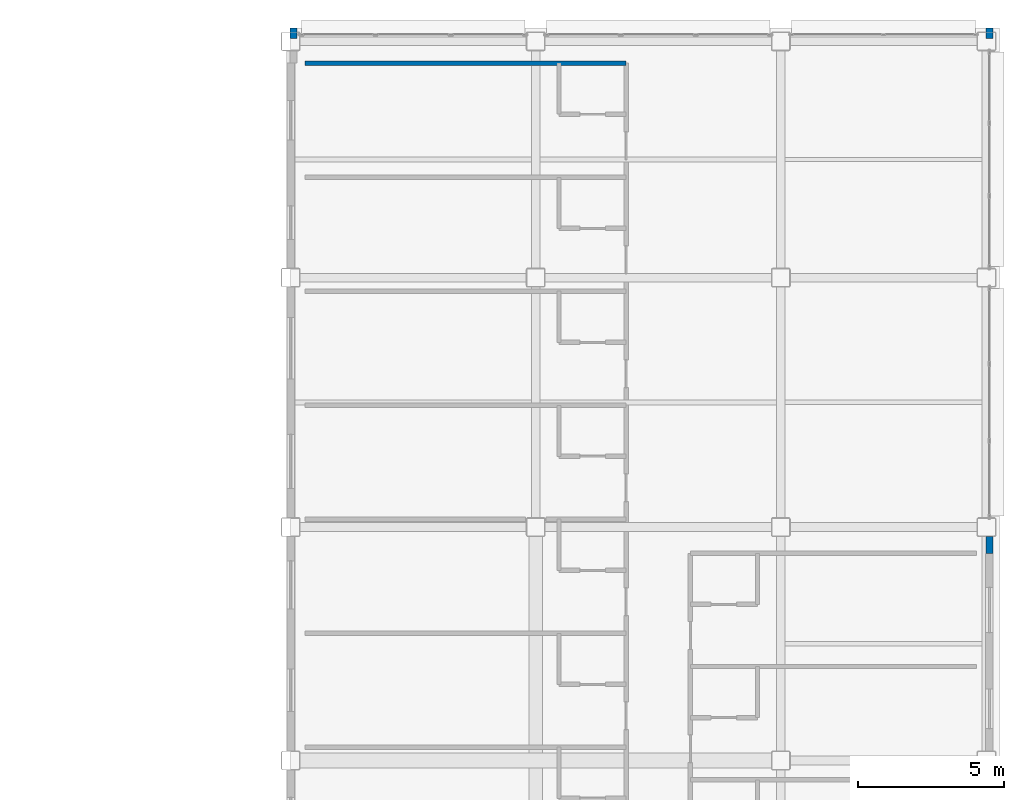
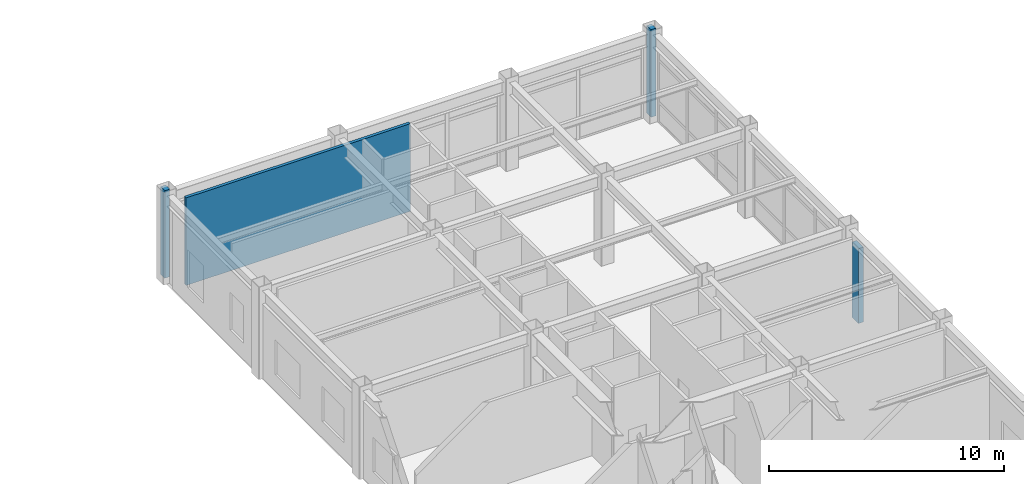
# One storey, part 82 of 93: 4 walls.
"""IFC4 building model written with IfcOpenShell, lengths in metres."""

from ifc_helpers import new_model, si_unit, direction, frame, frame_2d, origin, place, context, subcontext, project, spatial, rectangle, extrude, material, layer, layer_set, type_object, element, save


model = new_model("IFC4")

# Units and contexts
model_context = context("Model", 3, precision=1e-05, world=origin(), true_north=direction((0.0, 1.0)))
body_context = subcontext(model_context, "Body", "Model", "MODEL_VIEW")
ifc_project = project(units=[si_unit("LENGTHUNIT", "METRE"), si_unit("AREAUNIT", "SQUARE_METRE"), si_unit("VOLUMEUNIT", "CUBIC_METRE"), si_unit("PLANEANGLEUNIT", "RADIAN"), si_unit("MASSUNIT", "GRAM", prefix="KILO")], contexts=[model_context])

# Site, building, storey
site_placement = place(None, origin())
site = spatial("IfcSite", under=ifc_project, at=site_placement, CompositionType="ELEMENT")
building_placement = place(site_placement, origin())
building = spatial("IfcBuilding", under=site, at=building_placement, Name="Kazehara Bluff Congress Hotel", CompositionType="ELEMENT")
storey_placement = place(building_placement, frame((0.0, 0.0, 15.0)))
storey = spatial("IfcBuildingStorey", under=building, at=storey_placement, Name="L03", CompositionType="ELEMENT", Elevation=15.0)

# Walls
ifc_material_1 = material(Name="Precast concrete C40/50", Category="concrete")
ifc_layer_1 = layer(ifc_material_1, 0.239990234375)
ifc_layer_set_1 = layer_set([ifc_layer_1], Name="Precast concrete C40/50")
wall_type_1 = type_object("IfcWallType", Name="TP-EW-240", PredefinedType="SOLIDWALL", material=ifc_layer_set_1)
wall_1_placement = place(storey_placement, frame((167.64990234375, 96.574951171875, 0.0), z_axis=(0.0, 0.0, 1.0), x_axis=(0.0, -1.0, 0.0)))
element("IfcWall", 1, at=wall_1_placement, inside=storey, type_object=wall_type_1, Name="L03 V5 perimeter spandrel pier 710", PredefinedType="SOLIDWALL", context=body_context, shape_type="SweptSolid", body=[
    extrude(rectangle(XDim=0.574951171875, YDim=0.239990234375, at=frame_2d((0.28759765625, 0.0))), origin(), (0.0, 0.0, 1.0), 3.885009765625),
])
for number, where, z_axis, x_axis, name in (
    (2, (167.64990234375, 114.0, 0.0), (0.0, 0.0, 1.0), (0.0, -1.0, 0.0), "L03 V5 perimeter spandrel pier 711"),
    (3, (143.800048828125, 113.639892578125, 0.0), (0.0, 0.0, 1.0), (0.0, 1.0, 0.0), "L03 V5 perimeter spandrel pier 713"),
):
    element("IfcWall", number, at=place(storey_placement, frame(where, z_axis=z_axis, x_axis=x_axis)), inside=storey, type_object=wall_type_1, Name=name, PredefinedType="SOLIDWALL", context=body_context, shape_type="SweptSolid", body=[
        extrude(rectangle(XDim=0.360107421875, YDim=0.239990234375, at=frame_2d((0.18017578125, 0.0))), origin(), (0.0, 0.0, 1.0), 4.544921875),
    ])
ifc_material_2 = material(Name="Fire-rated gypsum board stud partition")
ifc_layer_2 = layer(ifc_material_2, 0.14990234375)
ifc_layer_set_2 = layer_set([ifc_layer_2], Name="Fire-rated gypsum board stud partition")
wall_type_2 = type_object("IfcWallType", Name="TP-PT-150", PredefinedType="PARTITIONING", material=ifc_layer_set_2)
wall_2_placement = place(storey_placement, frame((144.199951171875, 112.800048828125, 0.0), z_axis=(0.0, 0.0, 1.0), x_axis=(1.0, 0.0, 0.0)))
element("IfcWall", 4, at=wall_2_placement, inside=storey, type_object=wall_type_2, Name="L03 partition PT-150 321", PredefinedType="PARTITIONING", context=body_context, shape_type="SweptSolid", body=[
    extrude(rectangle(XDim=11.0, YDim=0.14990234375, at=frame_2d((5.5, 0.0))), origin(), (0.0, 0.0, 1.0), 4.544921875),
])

save(model, "model.ifc")
